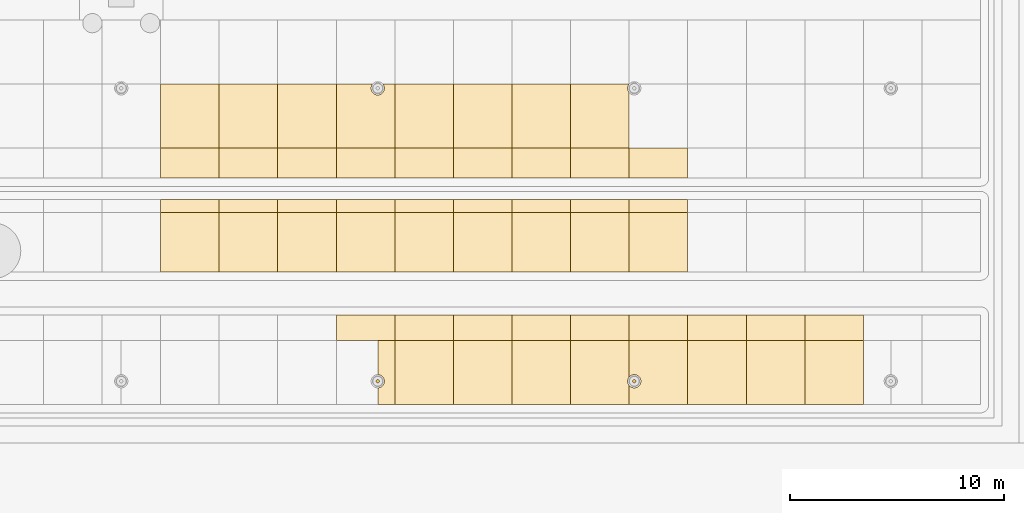
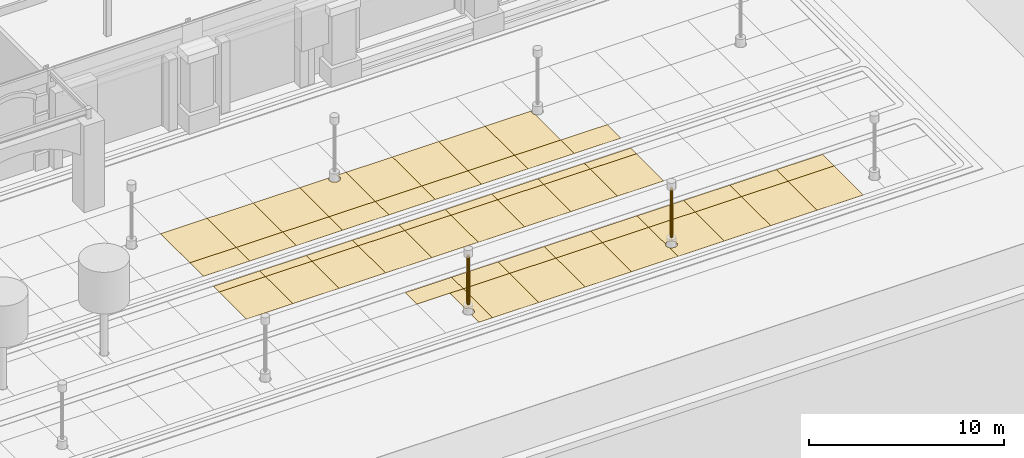
# One storey, part 159 of 222: 55 coverings.
"""IFC4 building model written with IfcOpenShell, lengths in metres."""

from ifc_helpers import new_model, si_unit, direction, frame, origin, origin_2d, place, context, subcontext, project, spatial, polyline, circle, outline, extrude, material, layer, layer_set, type_object, element, save


model = new_model("IFC4")

# Units and contexts
model_context = context("Model", 3, precision=1e-05, world=origin(), true_north=direction((0.0, 1.0)))
body_context = subcontext(model_context, "Body", "Model", "MODEL_VIEW")
ifc_project = project(units=[si_unit("LENGTHUNIT", "METRE"), si_unit("AREAUNIT", "SQUARE_METRE"), si_unit("VOLUMEUNIT", "CUBIC_METRE"), si_unit("PLANEANGLEUNIT", "RADIAN"), si_unit("MASSUNIT", "GRAM", prefix="KILO")], contexts=[model_context])

# Site, building, storey
site_placement = place(None, origin())
site = spatial("IfcSite", under=ifc_project, at=site_placement, CompositionType="ELEMENT")
building_placement = place(site_placement, origin())
building = spatial("IfcBuilding", under=site, at=building_placement, Name="Sava Quay Ferry Terminal", CompositionType="ELEMENT")
storey_placement = place(building_placement, origin())
storey = spatial("IfcBuildingStorey", under=building, at=storey_placement, Name="L00", CompositionType="ELEMENT", Elevation=0.0)

# Coverings
ifc_material_1 = material(Name="Limestone Mutalj", Category="masonry")
ifc_layer_1 = layer(ifc_material_1, 0.030029296875)
ifc_layer_set_1 = layer_set([ifc_layer_1], Name="Limestone Mutalj")
covering_type_1 = type_object("IfcCoveringType", Name="Court paving tile 30", PredefinedType="FLOORING", material=ifc_layer_set_1)
covering_1_placement = place(storey_placement, origin())
element("IfcCovering", 1, at=covering_1_placement, inside=storey, type_object=covering_type_1, Name="Limestone paving tile", PredefinedType="FLOORING", context=body_context, shape_type="SweptSolid", body=[
    extrude(outline(polyline([(127.840087890625, 10.800048828125), (127.840087890625, 8.010009765625), (130.580078125, 8.010009765625), (130.580078125, 10.800048828125), (127.840087890625, 10.800048828125)])), origin(), (0.0, 0.0, 1.0), 0.030029296875),
])
covering_2_placement = place(storey_placement, origin())
element("IfcCovering", 2, at=covering_2_placement, inside=storey, type_object=covering_type_1, Name="Limestone paving tile", PredefinedType="FLOORING", context=body_context, shape_type="SweptSolid", body=[
    extrude(outline(polyline([(127.840087890625, 13.800048828125), (130.580078125, 13.800048828125), (130.580078125, 16.800048828125), (127.840087890625, 16.800048828125), (127.840087890625, 13.800048828125)])), origin(), (0.0, 0.0, 1.0), 0.030029296875),
])
covering_3_placement = place(storey_placement, origin())
element("IfcCovering", 3, at=covering_3_placement, inside=storey, type_object=covering_type_1, Name="Limestone paving tile", PredefinedType="FLOORING", context=body_context, shape_type="SweptSolid", body=[
    extrude(outline(polyline([(133.320068359375, 10.800048828125), (133.320068359375, 11.389892578125), (130.580078125, 11.389892578125), (130.580078125, 10.800048828125), (133.320068359375, 10.800048828125)])), origin(), (0.0, 0.0, 1.0), 0.030029296875),
])
covering_4_placement = place(storey_placement, origin())
element("IfcCovering", 4, at=covering_4_placement, inside=storey, type_object=covering_type_1, Name="Limestone paving tile", PredefinedType="FLOORING", context=body_context, shape_type="SweptSolid", body=[
    extrude(outline(polyline([(130.580078125, 13.800048828125), (130.580078125, 12.409912109375), (133.320068359375, 12.409912109375), (133.320068359375, 13.800048828125), (130.580078125, 13.800048828125)])), origin(), (0.0, 0.0, 1.0), 0.030029296875),
])
covering_5_placement = place(storey_placement, origin())
element("IfcCovering", 5, at=covering_5_placement, inside=storey, type_object=covering_type_1, Name="Limestone paving tile", PredefinedType="FLOORING", context=body_context, shape_type="SweptSolid", body=[
    extrude(outline(polyline([(133.320068359375, 10.800048828125), (133.320068359375, 8.010009765625), (136.06005859375, 8.010009765625), (136.06005859375, 10.800048828125), (133.320068359375, 10.800048828125)])), origin(), (0.0, 0.0, 1.0), 0.030029296875),
])
covering_6_placement = place(storey_placement, origin())
element("IfcCovering", 6, at=covering_6_placement, inside=storey, type_object=covering_type_1, Name="Limestone paving tile", PredefinedType="FLOORING", context=body_context, shape_type="SweptSolid", body=[
    extrude(outline(polyline([(133.320068359375, 13.800048828125), (136.06005859375, 13.800048828125), (136.06005859375, 16.800048828125), (133.320068359375, 16.800048828125), (133.320068359375, 13.800048828125)])), origin(), (0.0, 0.0, 1.0), 0.030029296875),
])
covering_7_placement = place(storey_placement, origin())
element("IfcCovering", 7, at=covering_7_placement, inside=storey, type_object=covering_type_1, Name="Limestone paving tile", PredefinedType="FLOORING", context=body_context, shape_type="SweptSolid", body=[
    extrude(outline(polyline([(138.800048828125, 4.800048828125), (138.800048828125, 5.989990234375), (136.06005859375, 5.989990234375), (136.06005859375, 4.800048828125), (138.800048828125, 4.800048828125)])), origin(), (0.0, 0.0, 1.0), 0.030029296875),
])
covering_8_placement = place(storey_placement, origin())
element("IfcCovering", 8, at=covering_8_placement, inside=storey, type_object=covering_type_1, Name="Limestone paving tile", PredefinedType="FLOORING", context=body_context, shape_type="SweptSolid", body=[
    extrude(outline(polyline([(138.800048828125, 10.800048828125), (138.800048828125, 11.389892578125), (136.06005859375, 11.389892578125), (136.06005859375, 10.800048828125), (138.800048828125, 10.800048828125)])), origin(), (0.0, 0.0, 1.0), 0.030029296875),
])
covering_9_placement = place(storey_placement, origin())
element("IfcCovering", 9, at=covering_9_placement, inside=storey, type_object=covering_type_1, Name="Limestone paving tile", PredefinedType="FLOORING", context=body_context, shape_type="SweptSolid", body=[
    extrude(outline(polyline([(136.06005859375, 13.800048828125), (136.06005859375, 12.409912109375), (138.800048828125, 12.409912109375), (138.800048828125, 13.800048828125), (136.06005859375, 13.800048828125)])), origin(), (0.0, 0.0, 1.0), 0.030029296875),
])
covering_10_placement = place(storey_placement, origin())
element("IfcCovering", 10, at=covering_10_placement, inside=storey, type_object=covering_type_1, Name="Limestone paving tile", PredefinedType="FLOORING", context=body_context, shape_type="SweptSolid", body=[
    extrude(outline(polyline([(138.800048828125, 4.800048828125), (138.800048828125, 1.81005859375), (141.5400390625, 1.81005859375), (141.5400390625, 4.800048828125), (138.800048828125, 4.800048828125)])), origin(), (0.0, 0.0, 1.0), 0.030029296875),
])
covering_11_placement = place(storey_placement, origin())
element("IfcCovering", 11, at=covering_11_placement, inside=storey, type_object=covering_type_1, Name="Limestone paving tile", PredefinedType="FLOORING", context=body_context, shape_type="SweptSolid", body=[
    extrude(outline(polyline([(138.800048828125, 10.800048828125), (138.800048828125, 8.010009765625), (141.5400390625, 8.010009765625), (141.5400390625, 10.800048828125), (138.800048828125, 10.800048828125)])), origin(), (0.0, 0.0, 1.0), 0.030029296875),
])
covering_12_placement = place(storey_placement, origin())
element("IfcCovering", 12, at=covering_12_placement, inside=storey, type_object=covering_type_1, Name="Limestone paving tile", PredefinedType="FLOORING", context=body_context, shape_type="SweptSolid", body=[
    extrude(outline(polyline([(138.800048828125, 13.800048828125), (141.5400390625, 13.800048828125), (141.5400390625, 16.800048828125), (138.800048828125, 16.800048828125), (138.800048828125, 13.800048828125)])), origin(), (0.0, 0.0, 1.0), 0.030029296875),
])
covering_13_placement = place(storey_placement, origin())
element("IfcCovering", 13, at=covering_13_placement, inside=storey, type_object=covering_type_1, Name="Limestone paving tile", PredefinedType="FLOORING", context=body_context, shape_type="SweptSolid", body=[
    extrude(outline(polyline([(144.280029296875, 4.800048828125), (144.280029296875, 5.989990234375), (141.5400390625, 5.989990234375), (141.5400390625, 4.800048828125), (144.280029296875, 4.800048828125)])), origin(), (0.0, 0.0, 1.0), 0.030029296875),
])
covering_14_placement = place(storey_placement, origin())
element("IfcCovering", 14, at=covering_14_placement, inside=storey, type_object=covering_type_1, Name="Limestone paving tile", PredefinedType="FLOORING", context=body_context, shape_type="SweptSolid", body=[
    extrude(outline(polyline([(144.280029296875, 10.800048828125), (144.280029296875, 11.389892578125), (141.5400390625, 11.389892578125), (141.5400390625, 10.800048828125), (144.280029296875, 10.800048828125)])), origin(), (0.0, 0.0, 1.0), 0.030029296875),
])
covering_15_placement = place(storey_placement, origin())
element("IfcCovering", 15, at=covering_15_placement, inside=storey, type_object=covering_type_1, Name="Limestone paving tile", PredefinedType="FLOORING", context=body_context, shape_type="SweptSolid", body=[
    extrude(outline(polyline([(141.5400390625, 13.800048828125), (141.5400390625, 12.409912109375), (144.280029296875, 12.409912109375), (144.280029296875, 13.800048828125), (141.5400390625, 13.800048828125)])), origin(), (0.0, 0.0, 1.0), 0.030029296875),
])
covering_16_placement = place(storey_placement, origin())
element("IfcCovering", 16, at=covering_16_placement, inside=storey, type_object=covering_type_1, Name="Limestone paving tile", PredefinedType="FLOORING", context=body_context, shape_type="SweptSolid", body=[
    extrude(outline(polyline([(144.280029296875, 4.800048828125), (144.280029296875, 1.81005859375), (147.02001953125, 1.81005859375), (147.02001953125, 4.800048828125), (144.280029296875, 4.800048828125)])), origin(), (0.0, 0.0, 1.0), 0.030029296875),
])
covering_17_placement = place(storey_placement, origin())
element("IfcCovering", 17, at=covering_17_placement, inside=storey, type_object=covering_type_1, Name="Limestone paving tile", PredefinedType="FLOORING", context=body_context, shape_type="SweptSolid", body=[
    extrude(outline(polyline([(144.280029296875, 10.800048828125), (144.280029296875, 8.010009765625), (147.02001953125, 8.010009765625), (147.02001953125, 10.800048828125), (144.280029296875, 10.800048828125)])), origin(), (0.0, 0.0, 1.0), 0.030029296875),
])
covering_18_placement = place(storey_placement, origin())
element("IfcCovering", 18, at=covering_18_placement, inside=storey, type_object=covering_type_1, Name="Limestone paving tile", PredefinedType="FLOORING", context=body_context, shape_type="SweptSolid", body=[
    extrude(outline(polyline([(144.280029296875, 13.800048828125), (147.02001953125, 13.800048828125), (147.02001953125, 16.800048828125), (144.280029296875, 16.800048828125), (144.280029296875, 13.800048828125)])), origin(), (0.0, 0.0, 1.0), 0.030029296875),
])
covering_19_placement = place(storey_placement, origin())
element("IfcCovering", 19, at=covering_19_placement, inside=storey, type_object=covering_type_1, Name="Limestone paving tile", PredefinedType="FLOORING", context=body_context, shape_type="SweptSolid", body=[
    extrude(outline(polyline([(149.760009765625, 4.800048828125), (149.760009765625, 5.989990234375), (147.02001953125, 5.989990234375), (147.02001953125, 4.800048828125), (149.760009765625, 4.800048828125)])), origin(), (0.0, 0.0, 1.0), 0.030029296875),
])
covering_20_placement = place(storey_placement, origin())
element("IfcCovering", 20, at=covering_20_placement, inside=storey, type_object=covering_type_1, Name="Limestone paving tile", PredefinedType="FLOORING", context=body_context, shape_type="SweptSolid", body=[
    extrude(outline(polyline([(149.760009765625, 10.800048828125), (149.760009765625, 11.389892578125), (147.02001953125, 11.389892578125), (147.02001953125, 10.800048828125), (149.760009765625, 10.800048828125)])), origin(), (0.0, 0.0, 1.0), 0.030029296875),
])
covering_21_placement = place(storey_placement, origin())
element("IfcCovering", 21, at=covering_21_placement, inside=storey, type_object=covering_type_1, Name="Limestone paving tile", PredefinedType="FLOORING", context=body_context, shape_type="SweptSolid", body=[
    extrude(outline(polyline([(147.02001953125, 13.800048828125), (147.02001953125, 12.409912109375), (149.760009765625, 12.409912109375), (149.760009765625, 13.800048828125), (147.02001953125, 13.800048828125)])), origin(), (0.0, 0.0, 1.0), 0.030029296875),
])
covering_22_placement = place(storey_placement, origin())
element("IfcCovering", 22, at=covering_22_placement, inside=storey, type_object=covering_type_1, Name="Limestone paving tile", PredefinedType="FLOORING", context=body_context, shape_type="SweptSolid", body=[
    extrude(outline(polyline([(149.760009765625, 4.800048828125), (149.760009765625, 3.095947265625), (149.781005859375, 3.1201171875), (149.803955078125, 3.139892578125), (149.826904296875, 3.156982421875), (149.85400390625, 3.174072265625), (149.882080078125, 3.18701171875), (149.909912109375, 3.196044921875), (149.93896484375, 3.2041015625), (149.968994140625, 3.2080078125), (150.0, 3.2099609375), (150.030029296875, 3.208984375), (150.06005859375, 3.2041015625), (150.090087890625, 3.196044921875), (150.118896484375, 3.18603515625), (150.14697265625, 3.173095703125), (150.172119140625, 3.157958984375), (150.196044921875, 3.139892578125), (150.219970703125, 3.118896484375), (150.239990234375, 3.095947265625), (150.257080078125, 3.072998046875), (150.27392578125, 3.0458984375), (150.287109375, 3.01806640625), (150.297119140625, 2.989990234375), (150.303955078125, 2.9609375), (150.30810546875, 2.930908203125), (150.31005859375, 2.89990234375), (150.30908203125, 2.8701171875), (150.303955078125, 2.840087890625), (150.2958984375, 2.81005859375), (150.285888671875, 2.781005859375), (150.27392578125, 2.75390625), (150.257080078125, 2.72705078125), (150.239990234375, 2.7041015625), (150.219970703125, 2.680908203125), (150.196044921875, 2.659912109375), (150.172119140625, 2.64208984375), (150.14697265625, 2.626953125), (150.118896484375, 2.614013671875), (150.090087890625, 2.60400390625), (150.06103515625, 2.595947265625), (150.031005859375, 2.592041015625), (150.0, 2.590087890625), (149.969970703125, 2.591064453125), (149.93994140625, 2.595947265625), (149.909912109375, 2.60400390625), (149.882080078125, 2.613037109375), (149.85400390625, 2.6259765625), (149.826904296875, 2.64306640625), (149.803955078125, 2.659912109375), (149.781005859375, 2.679931640625), (149.760009765625, 2.7041015625), (149.760009765625, 1.81005859375), (152.5, 1.81005859375), (152.5, 4.800048828125), (149.760009765625, 4.800048828125)])), origin(), (0.0, 0.0, 1.0), 0.030029296875),
])
covering_23_placement = place(storey_placement, origin())
element("IfcCovering", 23, at=covering_23_placement, inside=storey, type_object=covering_type_1, Name="Limestone paving tile", PredefinedType="FLOORING", context=body_context, shape_type="SweptSolid", body=[
    extrude(outline(polyline([(149.760009765625, 10.800048828125), (149.760009765625, 8.010009765625), (152.5, 8.010009765625), (152.5, 10.800048828125), (149.760009765625, 10.800048828125)])), origin(), (0.0, 0.0, 1.0), 0.030029296875),
])
covering_24_placement = place(storey_placement, origin())
element("IfcCovering", 24, at=covering_24_placement, inside=storey, type_object=covering_type_1, Name="Limestone paving tile", PredefinedType="FLOORING", context=body_context, shape_type="SweptSolid", body=[
    extrude(outline(polyline([(155.239990234375, 4.800048828125), (155.239990234375, 5.989990234375), (152.5, 5.989990234375), (152.5, 4.800048828125), (155.239990234375, 4.800048828125)])), origin(), (0.0, 0.0, 1.0), 0.030029296875),
])
covering_25_placement = place(storey_placement, origin())
element("IfcCovering", 25, at=covering_25_placement, inside=storey, type_object=covering_type_1, Name="Limestone paving tile", PredefinedType="FLOORING", context=body_context, shape_type="SweptSolid", body=[
    extrude(outline(polyline([(155.239990234375, 4.800048828125), (155.239990234375, 1.81005859375), (157.97998046875, 1.81005859375), (157.97998046875, 4.800048828125), (155.239990234375, 4.800048828125)])), origin(), (0.0, 0.0, 1.0), 0.030029296875),
])
covering_26_placement = place(storey_placement, origin())
element("IfcCovering", 26, at=covering_26_placement, inside=storey, type_object=covering_type_1, Name="Limestone paving tile", PredefinedType="FLOORING", context=body_context, shape_type="SweptSolid", body=[
    extrude(outline(polyline([(160.719970703125, 4.800048828125), (160.719970703125, 5.989990234375), (157.97998046875, 5.989990234375), (157.97998046875, 4.800048828125), (160.719970703125, 4.800048828125)])), origin(), (0.0, 0.0, 1.0), 0.030029296875),
])
ifc_material_2 = material(Name="Red sandstone Vrsac", Category="masonry")
ifc_layer_2 = layer(ifc_material_2, 0.030029296875)
ifc_layer_set_2 = layer_set([ifc_layer_2], Name="Red sandstone Vrsac")
covering_type_2 = type_object("IfcCoveringType", Name="Court paving tile sandstone 30", PredefinedType="FLOORING", material=ifc_layer_set_2)
covering_27_placement = place(storey_placement, origin())
element("IfcCovering", 27, at=covering_27_placement, inside=storey, type_object=covering_type_2, Name="Sandstone paving tile", PredefinedType="FLOORING", context=body_context, shape_type="SweptSolid", body=[
    extrude(outline(polyline([(130.580078125, 10.800048828125), (130.580078125, 11.389892578125), (127.840087890625, 11.389892578125), (127.840087890625, 10.800048828125), (130.580078125, 10.800048828125)])), origin(), (0.0, 0.0, 1.0), 0.030029296875),
])
covering_28_placement = place(storey_placement, origin())
element("IfcCovering", 28, at=covering_28_placement, inside=storey, type_object=covering_type_2, Name="Sandstone paving tile", PredefinedType="FLOORING", context=body_context, shape_type="SweptSolid", body=[
    extrude(outline(polyline([(127.840087890625, 13.800048828125), (127.840087890625, 12.409912109375), (130.580078125, 12.409912109375), (130.580078125, 13.800048828125), (127.840087890625, 13.800048828125)])), origin(), (0.0, 0.0, 1.0), 0.030029296875),
])
covering_29_placement = place(storey_placement, origin())
element("IfcCovering", 29, at=covering_29_placement, inside=storey, type_object=covering_type_2, Name="Sandstone paving tile", PredefinedType="FLOORING", context=body_context, shape_type="SweptSolid", body=[
    extrude(outline(polyline([(130.580078125, 10.800048828125), (130.580078125, 8.010009765625), (133.320068359375, 8.010009765625), (133.320068359375, 10.800048828125), (130.580078125, 10.800048828125)])), origin(), (0.0, 0.0, 1.0), 0.030029296875),
])
covering_30_placement = place(storey_placement, origin())
element("IfcCovering", 30, at=covering_30_placement, inside=storey, type_object=covering_type_2, Name="Sandstone paving tile", PredefinedType="FLOORING", context=body_context, shape_type="SweptSolid", body=[
    extrude(outline(polyline([(130.580078125, 13.800048828125), (133.320068359375, 13.800048828125), (133.320068359375, 16.800048828125), (130.580078125, 16.800048828125), (130.580078125, 13.800048828125)])), origin(), (0.0, 0.0, 1.0), 0.030029296875),
])
covering_31_placement = place(storey_placement, origin())
element("IfcCovering", 31, at=covering_31_placement, inside=storey, type_object=covering_type_2, Name="Sandstone paving tile", PredefinedType="FLOORING", context=body_context, shape_type="SweptSolid", body=[
    extrude(outline(polyline([(136.06005859375, 10.800048828125), (136.06005859375, 11.389892578125), (133.320068359375, 11.389892578125), (133.320068359375, 10.800048828125), (136.06005859375, 10.800048828125)])), origin(), (0.0, 0.0, 1.0), 0.030029296875),
])
covering_32_placement = place(storey_placement, origin())
element("IfcCovering", 32, at=covering_32_placement, inside=storey, type_object=covering_type_2, Name="Sandstone paving tile", PredefinedType="FLOORING", context=body_context, shape_type="SweptSolid", body=[
    extrude(outline(polyline([(133.320068359375, 13.800048828125), (133.320068359375, 12.409912109375), (136.06005859375, 12.409912109375), (136.06005859375, 13.800048828125), (133.320068359375, 13.800048828125)])), origin(), (0.0, 0.0, 1.0), 0.030029296875),
])
covering_33_placement = place(storey_placement, origin())
element("IfcCovering", 33, at=covering_33_placement, inside=storey, type_object=covering_type_2, Name="Sandstone paving tile", PredefinedType="FLOORING", context=body_context, shape_type="SweptSolid", body=[
    extrude(outline(polyline([(138.800048828125, 4.800048828125), (138.0, 4.800048828125), (138.0, 3.2099609375), (138.031005859375, 3.2080078125), (138.06103515625, 3.2041015625), (138.090087890625, 3.196044921875), (138.118896484375, 3.18603515625), (138.14697265625, 3.173095703125), (138.173095703125, 3.156982421875), (138.197021484375, 3.138916015625), (138.219970703125, 3.118896484375), (138.239990234375, 3.095947265625), (138.258056640625, 3.072021484375), (138.27392578125, 3.0458984375), (138.287109375, 3.01806640625), (138.297119140625, 2.989990234375), (138.303955078125, 2.9599609375), (138.30908203125, 2.929931640625), (138.31005859375, 2.89990234375), (138.30810546875, 2.868896484375), (138.303955078125, 2.839111328125), (138.2958984375, 2.81005859375), (138.285888671875, 2.781005859375), (138.27294921875, 2.7529296875), (138.257080078125, 2.72705078125), (138.239013671875, 2.702880859375), (138.218994140625, 2.679931640625), (138.196044921875, 2.659912109375), (138.172119140625, 2.64208984375), (138.14599609375, 2.6259765625), (138.117919921875, 2.613037109375), (138.090087890625, 2.60302734375), (138.06005859375, 2.595947265625), (138.030029296875, 2.591064453125), (138.0, 2.590087890625), (138.0, 1.81005859375), (138.800048828125, 1.81005859375), (138.800048828125, 4.800048828125)])), origin(), (0.0, 0.0, 1.0), 0.030029296875),
])
covering_34_placement = place(storey_placement, origin())
element("IfcCovering", 34, at=covering_34_placement, inside=storey, type_object=covering_type_2, Name="Sandstone paving tile", PredefinedType="FLOORING", context=body_context, shape_type="SweptSolid", body=[
    extrude(outline(polyline([(136.06005859375, 10.800048828125), (136.06005859375, 8.010009765625), (138.800048828125, 8.010009765625), (138.800048828125, 10.800048828125), (136.06005859375, 10.800048828125)])), origin(), (0.0, 0.0, 1.0), 0.030029296875),
])
covering_35_placement = place(storey_placement, origin())
element("IfcCovering", 35, at=covering_35_placement, inside=storey, type_object=covering_type_2, Name="Sandstone paving tile", PredefinedType="FLOORING", context=body_context, shape_type="SweptSolid", body=[
    extrude(outline(polyline([(138.800048828125, 16.800048828125), (138.237060546875, 16.800048828125), (138.257080078125, 16.77294921875), (138.27392578125, 16.74609375), (138.285888671875, 16.718994140625), (138.2958984375, 16.68994140625), (138.303955078125, 16.659912109375), (138.30908203125, 16.6298828125), (138.31005859375, 16.60009765625), (138.30810546875, 16.569091796875), (138.303955078125, 16.5390625), (138.297119140625, 16.510009765625), (138.285888671875, 16.48095703125), (138.27392578125, 16.4541015625), (138.258056640625, 16.427978515625), (138.239013671875, 16.403076171875), (138.219970703125, 16.381103515625), (138.197021484375, 16.361083984375), (138.172119140625, 16.342041015625), (138.14697265625, 16.326904296875), (138.118896484375, 16.31396484375), (138.090087890625, 16.302978515625), (138.06005859375, 16.2958984375), (138.031005859375, 16.2919921875), (138.0, 16.2900390625), (137.969970703125, 16.291015625), (137.93994140625, 16.2958984375), (137.909912109375, 16.303955078125), (137.882080078125, 16.31298828125), (137.85400390625, 16.325927734375), (137.827880859375, 16.342041015625), (137.802978515625, 16.361083984375), (137.780029296875, 16.381103515625), (137.760986328125, 16.403076171875), (137.741943359375, 16.427978515625), (137.72607421875, 16.4541015625), (137.714111328125, 16.48095703125), (137.702880859375, 16.510009765625), (137.696044921875, 16.5390625), (137.69189453125, 16.569091796875), (137.68994140625, 16.60009765625), (137.69091796875, 16.6298828125), (137.696044921875, 16.659912109375), (137.7041015625, 16.68994140625), (137.714111328125, 16.718994140625), (137.72607421875, 16.74609375), (137.742919921875, 16.77294921875), (137.762939453125, 16.800048828125), (136.06005859375, 16.800048828125), (136.06005859375, 13.800048828125), (138.800048828125, 13.800048828125), (138.800048828125, 16.800048828125)])), origin(), (0.0, 0.0, 1.0), 0.030029296875),
])
covering_36_placement = place(storey_placement, origin())
element("IfcCovering", 36, at=covering_36_placement, inside=storey, type_object=covering_type_2, Name="Sandstone paving tile", PredefinedType="FLOORING", context=body_context, shape_type="SweptSolid", body=[
    extrude(outline(polyline([(141.5400390625, 4.800048828125), (141.5400390625, 5.989990234375), (138.800048828125, 5.989990234375), (138.800048828125, 4.800048828125), (141.5400390625, 4.800048828125)])), origin(), (0.0, 0.0, 1.0), 0.030029296875),
])
covering_37_placement = place(storey_placement, origin())
element("IfcCovering", 37, at=covering_37_placement, inside=storey, type_object=covering_type_2, Name="Sandstone paving tile", PredefinedType="FLOORING", context=body_context, shape_type="SweptSolid", body=[
    extrude(outline(polyline([(141.5400390625, 10.800048828125), (141.5400390625, 11.389892578125), (138.800048828125, 11.389892578125), (138.800048828125, 10.800048828125), (141.5400390625, 10.800048828125)])), origin(), (0.0, 0.0, 1.0), 0.030029296875),
])
covering_38_placement = place(storey_placement, origin())
element("IfcCovering", 38, at=covering_38_placement, inside=storey, type_object=covering_type_2, Name="Sandstone paving tile", PredefinedType="FLOORING", context=body_context, shape_type="SweptSolid", body=[
    extrude(outline(polyline([(138.800048828125, 13.800048828125), (138.800048828125, 12.409912109375), (141.5400390625, 12.409912109375), (141.5400390625, 13.800048828125), (138.800048828125, 13.800048828125)])), origin(), (0.0, 0.0, 1.0), 0.030029296875),
])
covering_39_placement = place(storey_placement, origin())
element("IfcCovering", 39, at=covering_39_placement, inside=storey, type_object=covering_type_2, Name="Sandstone paving tile", PredefinedType="FLOORING", context=body_context, shape_type="SweptSolid", body=[
    extrude(outline(polyline([(141.5400390625, 4.800048828125), (141.5400390625, 1.81005859375), (144.280029296875, 1.81005859375), (144.280029296875, 4.800048828125), (141.5400390625, 4.800048828125)])), origin(), (0.0, 0.0, 1.0), 0.030029296875),
])
covering_40_placement = place(storey_placement, origin())
element("IfcCovering", 40, at=covering_40_placement, inside=storey, type_object=covering_type_2, Name="Sandstone paving tile", PredefinedType="FLOORING", context=body_context, shape_type="SweptSolid", body=[
    extrude(outline(polyline([(141.5400390625, 10.800048828125), (141.5400390625, 8.010009765625), (144.280029296875, 8.010009765625), (144.280029296875, 10.800048828125), (141.5400390625, 10.800048828125)])), origin(), (0.0, 0.0, 1.0), 0.030029296875),
])
covering_41_placement = place(storey_placement, origin())
element("IfcCovering", 41, at=covering_41_placement, inside=storey, type_object=covering_type_2, Name="Sandstone paving tile", PredefinedType="FLOORING", context=body_context, shape_type="SweptSolid", body=[
    extrude(outline(polyline([(141.5400390625, 13.800048828125), (144.280029296875, 13.800048828125), (144.280029296875, 16.800048828125), (141.5400390625, 16.800048828125), (141.5400390625, 13.800048828125)])), origin(), (0.0, 0.0, 1.0), 0.030029296875),
])
covering_42_placement = place(storey_placement, origin())
element("IfcCovering", 42, at=covering_42_placement, inside=storey, type_object=covering_type_2, Name="Sandstone paving tile", PredefinedType="FLOORING", context=body_context, shape_type="SweptSolid", body=[
    extrude(outline(polyline([(147.02001953125, 4.800048828125), (147.02001953125, 5.989990234375), (144.280029296875, 5.989990234375), (144.280029296875, 4.800048828125), (147.02001953125, 4.800048828125)])), origin(), (0.0, 0.0, 1.0), 0.030029296875),
])
covering_43_placement = place(storey_placement, origin())
element("IfcCovering", 43, at=covering_43_placement, inside=storey, type_object=covering_type_2, Name="Sandstone paving tile", PredefinedType="FLOORING", context=body_context, shape_type="SweptSolid", body=[
    extrude(outline(polyline([(147.02001953125, 10.800048828125), (147.02001953125, 11.389892578125), (144.280029296875, 11.389892578125), (144.280029296875, 10.800048828125), (147.02001953125, 10.800048828125)])), origin(), (0.0, 0.0, 1.0), 0.030029296875),
])
covering_44_placement = place(storey_placement, origin())
element("IfcCovering", 44, at=covering_44_placement, inside=storey, type_object=covering_type_2, Name="Sandstone paving tile", PredefinedType="FLOORING", context=body_context, shape_type="SweptSolid", body=[
    extrude(outline(polyline([(144.280029296875, 13.800048828125), (144.280029296875, 12.409912109375), (147.02001953125, 12.409912109375), (147.02001953125, 13.800048828125), (144.280029296875, 13.800048828125)])), origin(), (0.0, 0.0, 1.0), 0.030029296875),
])
covering_45_placement = place(storey_placement, origin())
element("IfcCovering", 45, at=covering_45_placement, inside=storey, type_object=covering_type_2, Name="Sandstone paving tile", PredefinedType="FLOORING", context=body_context, shape_type="SweptSolid", body=[
    extrude(outline(polyline([(149.760009765625, 1.81005859375), (149.760009765625, 2.7041015625), (149.741943359375, 2.72802734375), (149.72607421875, 2.75390625), (149.714111328125, 2.781005859375), (149.7041015625, 2.81005859375), (149.696044921875, 2.840087890625), (149.69091796875, 2.8701171875), (149.68994140625, 2.89990234375), (149.69091796875, 2.929931640625), (149.696044921875, 2.9599609375), (149.7041015625, 2.989990234375), (149.714111328125, 3.01904296875), (149.72607421875, 3.0458984375), (149.741943359375, 3.072021484375), (149.760009765625, 3.095947265625), (149.760009765625, 4.800048828125), (147.02001953125, 4.800048828125), (147.02001953125, 1.81005859375), (149.760009765625, 1.81005859375)])), origin(), (0.0, 0.0, 1.0), 0.030029296875),
])
covering_46_placement = place(storey_placement, origin())
element("IfcCovering", 46, at=covering_46_placement, inside=storey, type_object=covering_type_2, Name="Sandstone paving tile", PredefinedType="FLOORING", context=body_context, shape_type="SweptSolid", body=[
    extrude(outline(polyline([(147.02001953125, 10.800048828125), (147.02001953125, 8.010009765625), (149.760009765625, 8.010009765625), (149.760009765625, 10.800048828125), (147.02001953125, 10.800048828125)])), origin(), (0.0, 0.0, 1.0), 0.030029296875),
])
covering_47_placement = place(storey_placement, origin())
element("IfcCovering", 47, at=covering_47_placement, inside=storey, type_object=covering_type_2, Name="Sandstone paving tile", PredefinedType="FLOORING", context=body_context, shape_type="SweptSolid", body=[
    extrude(outline(polyline([(149.760009765625, 13.800048828125), (149.760009765625, 16.404052734375), (149.741943359375, 16.427978515625), (149.72607421875, 16.4541015625), (149.714111328125, 16.48095703125), (149.7041015625, 16.510009765625), (149.696044921875, 16.5400390625), (149.69091796875, 16.570068359375), (149.68994140625, 16.60009765625), (149.69091796875, 16.6298828125), (149.696044921875, 16.659912109375), (149.7041015625, 16.68994140625), (149.714111328125, 16.718994140625), (149.72607421875, 16.74609375), (149.741943359375, 16.77197265625), (149.760009765625, 16.7958984375), (149.760009765625, 16.800048828125), (147.02001953125, 16.800048828125), (147.02001953125, 13.800048828125), (149.760009765625, 13.800048828125)])), origin(), (0.0, 0.0, 1.0), 0.030029296875),
])
covering_48_placement = place(storey_placement, origin())
element("IfcCovering", 48, at=covering_48_placement, inside=storey, type_object=covering_type_2, Name="Sandstone paving tile", PredefinedType="FLOORING", context=body_context, shape_type="SweptSolid", body=[
    extrude(outline(polyline([(152.5, 4.800048828125), (152.5, 5.989990234375), (149.760009765625, 5.989990234375), (149.760009765625, 4.800048828125), (152.5, 4.800048828125)])), origin(), (0.0, 0.0, 1.0), 0.030029296875),
])
covering_49_placement = place(storey_placement, origin())
element("IfcCovering", 49, at=covering_49_placement, inside=storey, type_object=covering_type_2, Name="Sandstone paving tile", PredefinedType="FLOORING", context=body_context, shape_type="SweptSolid", body=[
    extrude(outline(polyline([(152.5, 10.800048828125), (152.5, 11.389892578125), (149.760009765625, 11.389892578125), (149.760009765625, 10.800048828125), (152.5, 10.800048828125)])), origin(), (0.0, 0.0, 1.0), 0.030029296875),
])
covering_50_placement = place(storey_placement, origin())
element("IfcCovering", 50, at=covering_50_placement, inside=storey, type_object=covering_type_2, Name="Sandstone paving tile", PredefinedType="FLOORING", context=body_context, shape_type="SweptSolid", body=[
    extrude(outline(polyline([(149.760009765625, 13.800048828125), (149.760009765625, 12.409912109375), (152.5, 12.409912109375), (152.5, 13.800048828125), (149.760009765625, 13.800048828125)])), origin(), (0.0, 0.0, 1.0), 0.030029296875),
])
covering_51_placement = place(storey_placement, origin())
element("IfcCovering", 51, at=covering_51_placement, inside=storey, type_object=covering_type_2, Name="Sandstone paving tile", PredefinedType="FLOORING", context=body_context, shape_type="SweptSolid", body=[
    extrude(outline(polyline([(152.5, 4.800048828125), (152.5, 1.81005859375), (155.239990234375, 1.81005859375), (155.239990234375, 4.800048828125), (152.5, 4.800048828125)])), origin(), (0.0, 0.0, 1.0), 0.030029296875),
])
covering_52_placement = place(storey_placement, origin())
element("IfcCovering", 52, at=covering_52_placement, inside=storey, type_object=covering_type_2, Name="Sandstone paving tile", PredefinedType="FLOORING", context=body_context, shape_type="SweptSolid", body=[
    extrude(outline(polyline([(157.97998046875, 4.800048828125), (157.97998046875, 5.989990234375), (155.239990234375, 5.989990234375), (155.239990234375, 4.800048828125), (157.97998046875, 4.800048828125)])), origin(), (0.0, 0.0, 1.0), 0.030029296875),
])
covering_53_placement = place(storey_placement, origin())
element("IfcCovering", 53, at=covering_53_placement, inside=storey, type_object=covering_type_2, Name="Sandstone paving tile", PredefinedType="FLOORING", context=body_context, shape_type="SweptSolid", body=[
    extrude(outline(polyline([(157.97998046875, 4.800048828125), (157.97998046875, 1.81005859375), (160.719970703125, 1.81005859375), (160.719970703125, 4.800048828125), (157.97998046875, 4.800048828125)])), origin(), (0.0, 0.0, 1.0), 0.030029296875),
])
ifc_material_3 = material(Name="Steel S355", Category="steel")
ifc_layer_3 = layer(ifc_material_3, 0.159912109375)
ifc_layer_set_3 = layer_set([ifc_layer_3], Name="Steel S355")
covering_type_3 = type_object("IfcCoveringType", Name="Lamp standard column 160", PredefinedType="CLADDING", material=ifc_layer_set_3)
for number, where, z_axis, x_axis, name in (
    (54, (138.0, 2.89990234375, 3.550048828125), (0.0, 0.0, -1.0), (1.0, 0.0, 0.0), "Lamp standard column"),
    (55, (150.0, 2.89990234375, 3.550048828125), (0.0, 0.0, -1.0), (1.0, 0.0, 0.0), "Lamp standard column"),
):
    element("IfcCovering", number, at=place(storey_placement, frame(where, z_axis=z_axis, x_axis=x_axis)), inside=storey, type_object=covering_type_3, Name=name, PredefinedType="CLADDING", context=body_context, shape_type="SweptSolid", body=[
        extrude(circle(Radius=0.080078125, at=origin_2d()), origin(), (0.0, 0.0, 1.0), 3.050048828125),
    ])

save(model, "model.ifc")
